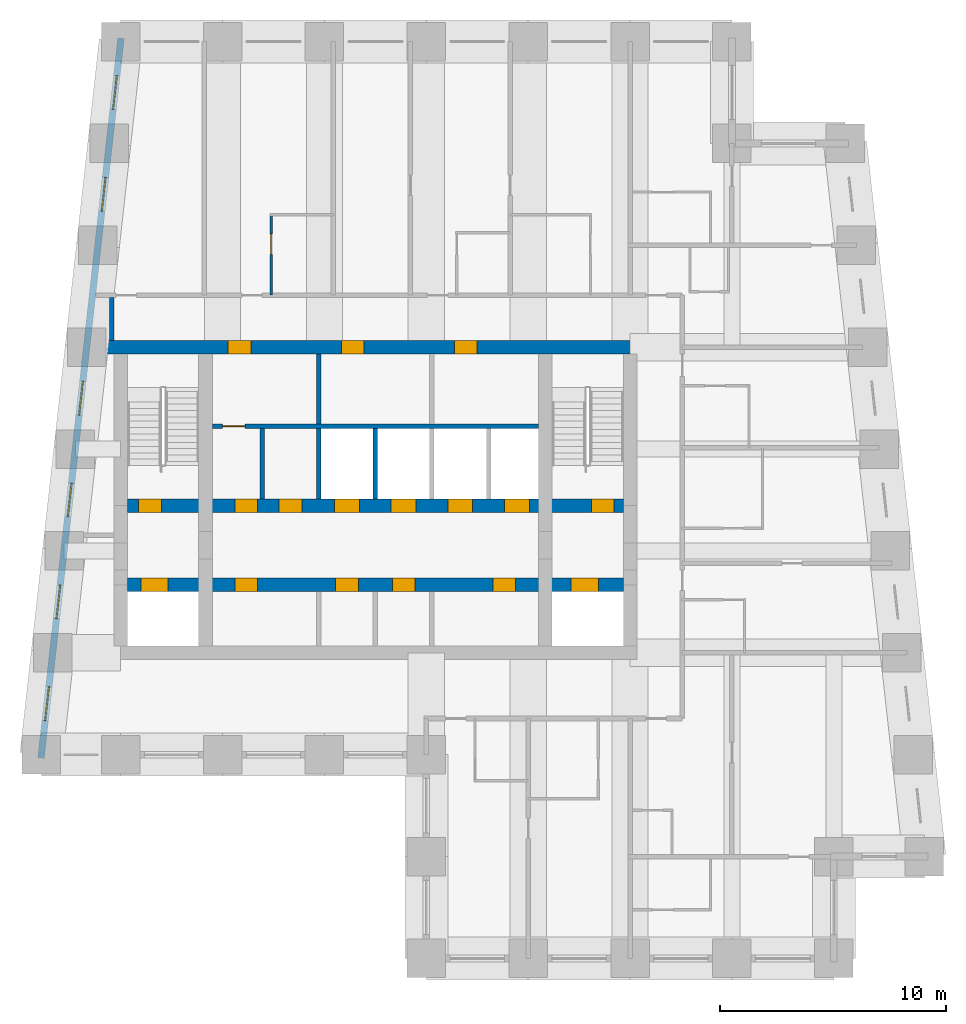
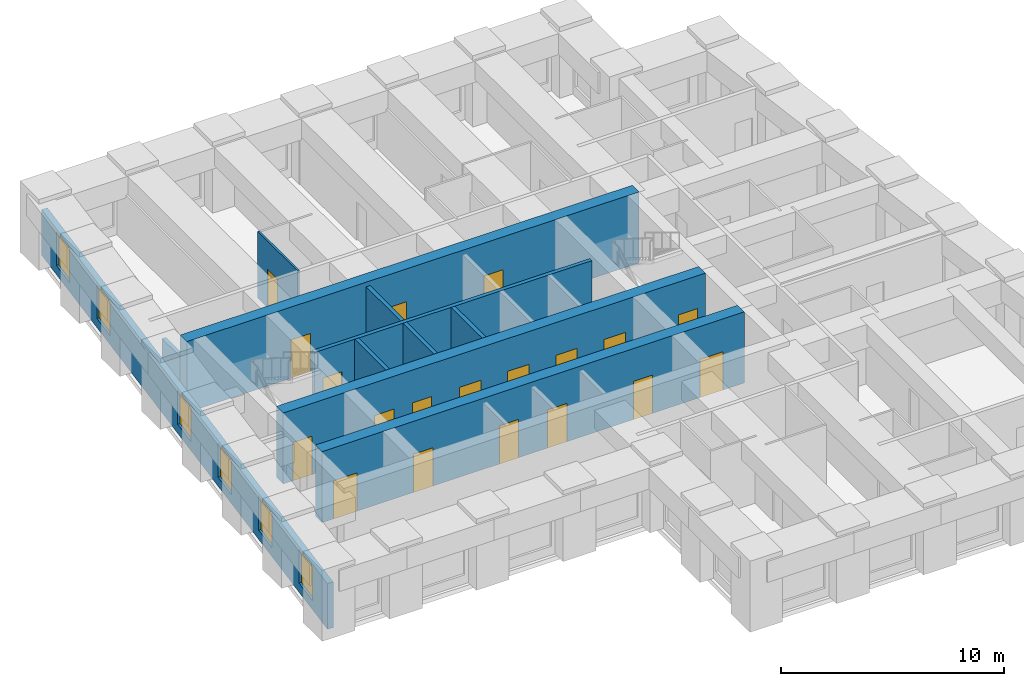
# One storey, part 3 of 7: 19 doors, 11 walls, 6 windows, 25 openings.
"""IFC4 building model written with IfcOpenShell, lengths in metres."""

from ifc_helpers import new_model, si_unit, direction, frame, frame_2d, origin, place, context, subcontext, project, spatial, rectangle, extrude, material, layer, layer_set, type_object, element, fill, save


model = new_model("IFC4")

# Units and contexts
model_context = context("Model", 3, precision=1e-05, world=origin(), true_north=direction((0.0, 1.0)))
body_context = subcontext(model_context, "Body", "Model", "MODEL_VIEW")
ifc_project = project(units=[si_unit("LENGTHUNIT", "METRE"), si_unit("AREAUNIT", "SQUARE_METRE"), si_unit("VOLUMEUNIT", "CUBIC_METRE"), si_unit("PLANEANGLEUNIT", "RADIAN"), si_unit("MASSUNIT", "GRAM", prefix="KILO")], contexts=[model_context])

# Site, building, storey
site_placement = place(None, origin())
site = spatial("IfcSite", under=ifc_project, at=site_placement, CompositionType="ELEMENT")
building_placement = place(site_placement, origin())
building = spatial("IfcBuilding", under=site, at=building_placement, Name="Kilele Tower Hotel", CompositionType="ELEMENT")
storey_placement = place(building_placement, frame((0.0, 0.0, 236.89990234375)))
storey = spatial("IfcBuildingStorey", under=building, at=storey_placement, Name="L61", CompositionType="ELEMENT", Elevation=236.89990234375)

# Wall, opening, door
ifc_material_1 = material(Name="Moisture-resistant board")
ifc_layer_1 = layer(ifc_material_1, 0.10009765625)
ifc_layer_set_1 = layer_set([ifc_layer_1], Name="Moisture-resistant board")
wall_type_1 = type_object("IfcWallType", Name="Bathroom partition 100", PredefinedType="PLUMBINGWALL", material=ifc_layer_set_1)
wall_1_placement = place(storey_placement, frame((20.14990234375, 29.300048828125, 0.0), z_axis=(0.0, 0.0, 1.0), x_axis=(0.0, 1.0, 0.0)))
wall_1 = element("IfcWall", 1, at=wall_1_placement, inside=storey, type_object=wall_type_1, Name="Bathroom partition 100 L61", PredefinedType="PLUMBINGWALL", context=body_context, shape_type="SweptSolid", body=[
    extrude(rectangle(XDim=3.599853515625, YDim=0.10009765625, at=frame_2d((1.7998046875, 0.0))), origin(), (0.0, 0.0, 1.0), 3.650146484375),
])
opening_1_placement = place(wall_1_placement, frame((1.800048828125, 0.0, 0.0)))
opening_1 = element("IfcOpeningElement", 2, at=opening_1_placement, cuts=wall_1, Name="Opening D2A", PredefinedType="OPENING", context=body_context, shape_type="SweptSolid", body=[
    extrude(rectangle(XDim=0.89990234375, YDim=2.10009765625, at=frame_2d((0.449951171875, 1.050048828125))), frame((0.0, 0.06005859375, 0.0), z_axis=(0.0, -1.0, 0.0), x_axis=(1.0, 0.0, 0.0)), (0.0, 0.0, 1.0), 0.1201171875),
])
ifc_material_2 = material(Name="Timber door leaf in hardwood frame", Category="wood")
door_type_1 = type_object("IfcDoorType", Name="Bathroom door 900", OperationType="SINGLE_SWING_LEFT", PredefinedType="DOOR", material=ifc_material_2)
door_1_placement = place(opening_1_placement, origin())
door_1 = element("IfcDoor", 3, at=door_1_placement, inside=storey, type_object=door_type_1, Name="Bathroom door 6108B", OperationType="SINGLE_SWING_RIGHT", OverallHeight=2.10009765625, OverallWidth=0.89990234375, PredefinedType="DOOR", context=body_context, shape_type="SweptSolid", body=[
    extrude(rectangle(XDim=0.89990234375, YDim=2.10009765625, at=frame_2d((0.449951171875, 1.050048828125))), frame((0.0, 0.02490234375, 0.0), z_axis=(0.0, -1.0, 0.0), x_axis=(1.0, 0.0, 0.0)), (0.0, 0.0, 1.0), 0.050048828125),
])
fill(opening_1, door_1)

# Wall, openings, doors
ifc_material_3 = material(Name="Concrete C60/75", Category="concrete")
ifc_layer_2 = layer(ifc_material_3, 0.60009765625)
ifc_layer_set_2 = layer_set([ifc_layer_2], Name="Concrete C60/75")
wall_type_2 = type_object("IfcWallType", Name="Core wall 600 C60/75", PredefinedType="SHEAR", material=ifc_layer_set_2)
wall_2_placement = place(storey_placement, frame((36.300048828125, 27.0, 0.0), z_axis=(0.0, 0.0, 1.0), x_axis=(-1.0, 0.0, 0.0)))
wall_2 = element("IfcWall", 4, at=wall_2_placement, inside=storey, type_object=wall_type_2, Name="Core wall N L61", PredefinedType="SHEAR", context=body_context, shape_type="SweptSolid", body=[
    extrude(rectangle(XDim=23.449951171875, YDim=0.60009765625, at=frame_2d((11.72509765625, 0.0))), origin(), (0.0, 0.0, 1.0), 3.900146484375),
])
opening_2_placement = place(wall_2_placement, frame((17.050048828125, 0.0, 0.0)))
opening_2 = element("IfcOpeningElement", 5, at=opening_2_placement, cuts=wall_2, Name="Opening D12", PredefinedType="OPENING", context=body_context, shape_type="SweptSolid", body=[
    extrude(rectangle(XDim=1.0, YDim=2.10009765625, at=frame_2d((0.5, 1.050048828125))), frame((0.0, 0.31005859375, 0.0), z_axis=(0.0, -1.0, 0.0), x_axis=(1.0, 0.0, 0.0)), (0.0, 0.0, 1.0), 0.6201171875),
])
opening_3_placement = place(wall_2_placement, frame((12.050048828125, 0.0, 0.0)))
opening_3 = element("IfcOpeningElement", 6, at=opening_3_placement, cuts=wall_2, Name="Opening D6", PredefinedType="OPENING", context=body_context, shape_type="SweptSolid", body=[
    extrude(rectangle(XDim=1.0, YDim=2.10009765625, at=frame_2d((0.5, 1.050048828125))), frame((0.0, 0.31005859375, 0.0), z_axis=(0.0, -1.0, 0.0), x_axis=(1.0, 0.0, 0.0)), (0.0, 0.0, 1.0), 0.6201171875),
])
opening_4_placement = place(wall_2_placement, frame((7.050048828125, 0.0, 0.0)))
opening_4 = element("IfcOpeningElement", 7, at=opening_4_placement, cuts=wall_2, Name="Opening D6", PredefinedType="OPENING", context=body_context, shape_type="SweptSolid", body=[
    extrude(rectangle(XDim=1.0, YDim=2.10009765625, at=frame_2d((0.5, 1.050048828125))), frame((0.0, 0.31005859375, 0.0), z_axis=(0.0, -1.0, 0.0), x_axis=(1.0, 0.0, 0.0)), (0.0, 0.0, 1.0), 0.6201171875),
])
ifc_material_4 = material(Name="Timber door leaf in hardwood frame", Category="wood")
door_type_2 = type_object("IfcDoorType", Name="Core lobby door 1000", OperationType="SINGLE_SWING_LEFT", PredefinedType="DOOR", material=ifc_material_4)
door_2_placement = place(opening_2_placement, origin())
door_2 = element("IfcDoor", 8, at=door_2_placement, inside=storey, type_object=door_type_2, Name="North lobby door L61", OperationType="SINGLE_SWING_RIGHT", OverallHeight=2.10009765625, OverallWidth=1.0, PredefinedType="DOOR", context=body_context, shape_type="SweptSolid", body=[
    extrude(rectangle(XDim=1.0, YDim=2.10009765625, at=frame_2d((0.5, 1.050048828125))), frame((0.0, 0.2998046875, 0.0), z_axis=(0.0, -1.0, 0.0), x_axis=(1.0, 0.0, 0.0)), (0.0, 0.0, 1.0), 0.599609375),
])
fill(opening_2, door_2)
ifc_material_5 = material(Name="Timber door leaf in hardwood frame", Category="wood")
door_type_3 = type_object("IfcDoorType", Name="Riser door 1000", OperationType="SINGLE_SWING_LEFT", PredefinedType="DOOR", material=ifc_material_5)
door_3_placement = place(opening_3_placement, origin())
door_3 = element("IfcDoor", 9, at=door_3_placement, inside=storey, type_object=door_type_3, Name="Linen store door L61", OperationType="SINGLE_SWING_RIGHT", OverallHeight=2.10009765625, OverallWidth=1.0, PredefinedType="DOOR", context=body_context, shape_type="SweptSolid", body=[
    extrude(rectangle(XDim=1.0, YDim=2.10009765625, at=frame_2d((0.5, 1.050048828125))), frame((0.0, 0.2998046875, 0.0), z_axis=(0.0, -1.0, 0.0), x_axis=(1.0, 0.0, 0.0)), (0.0, 0.0, 1.0), 0.599609375),
])
fill(opening_3, door_3)
door_4_placement = place(opening_4_placement, origin())
door_4 = element("IfcDoor", 10, at=door_4_placement, inside=storey, type_object=door_type_3, Name="Electrical riser door L61", OperationType="SINGLE_SWING_RIGHT", OverallHeight=2.10009765625, OverallWidth=1.0, PredefinedType="DOOR", context=body_context, shape_type="SweptSolid", body=[
    extrude(rectangle(XDim=1.0, YDim=2.10009765625, at=frame_2d((0.5, 1.050048828125))), frame((0.0, 0.2998046875, 0.0), z_axis=(0.0, -1.0, 0.0), x_axis=(1.0, 0.0, 0.0)), (0.0, 0.0, 1.0), 0.599609375),
])
fill(opening_4, door_4)

wall_3_placement = place(storey_placement, frame((13.800048828125, 16.5, 0.0), z_axis=(0.0, 0.0, 1.0), x_axis=(1.0, 0.0, 0.0)))
wall_3 = element("IfcWall", 11, at=wall_3_placement, inside=storey, type_object=wall_type_2, Name="Core wall LS L61", PredefinedType="SHEAR", context=body_context, shape_type="SweptSolid", body=[
    extrude(rectangle(XDim=21.89990234375, YDim=0.60009765625, at=frame_2d((10.949951171875, 0.0))), origin(), (0.0, 0.0, 1.0), 3.900146484375),
])
opening_5_placement = place(wall_3_placement, frame((5.75, 0.0, 0.0), z_axis=(0.0, 0.0, 1.0), x_axis=(-1.0, 0.0, 0.0)))
opening_5 = element("IfcOpeningElement", 12, at=opening_5_placement, cuts=wall_3, Name="Opening D11", PredefinedType="OPENING", context=body_context, shape_type="SweptSolid", body=[
    extrude(rectangle(XDim=1.0, YDim=2.10009765625, at=frame_2d((0.5, 1.050048828125))), frame((0.0, 0.31005859375, 0.0), z_axis=(0.0, -1.0, 0.0), x_axis=(1.0, 0.0, 0.0)), (0.0, 0.0, 1.0), 0.6201171875),
])
opening_6_placement = place(wall_3_placement, frame((10.199951171875, 0.0, 0.0), z_axis=(0.0, 0.0, 1.0), x_axis=(-1.0, 0.0, 0.0)))
opening_6 = element("IfcOpeningElement", 13, at=opening_6_placement, cuts=wall_3, Name="Opening D11", PredefinedType="OPENING", context=body_context, shape_type="SweptSolid", body=[
    extrude(rectangle(XDim=1.0, YDim=2.10009765625, at=frame_2d((0.5, 1.050048828125))), frame((0.0, 0.31005859375, 0.0), z_axis=(0.0, -1.0, 0.0), x_axis=(1.0, 0.0, 0.0)), (0.0, 0.0, 1.0), 0.6201171875),
])
opening_7_placement = place(wall_3_placement, frame((12.699951171875, 0.0, 0.0), z_axis=(0.0, 0.0, 1.0), x_axis=(-1.0, 0.0, 0.0)))
opening_7 = element("IfcOpeningElement", 14, at=opening_7_placement, cuts=wall_3, Name="Opening D11", PredefinedType="OPENING", context=body_context, shape_type="SweptSolid", body=[
    extrude(rectangle(XDim=1.0, YDim=2.10009765625, at=frame_2d((0.5, 1.050048828125))), frame((0.0, 0.31005859375, 0.0), z_axis=(0.0, -1.0, 0.0), x_axis=(1.0, 0.0, 0.0)), (0.0, 0.0, 1.0), 0.6201171875),
])
opening_8_placement = place(wall_3_placement, frame((17.14990234375, 0.0, 0.0), z_axis=(0.0, 0.0, 1.0), x_axis=(-1.0, 0.0, 0.0)))
opening_8 = element("IfcOpeningElement", 15, at=opening_8_placement, cuts=wall_3, Name="Opening D11", PredefinedType="OPENING", context=body_context, shape_type="SweptSolid", body=[
    extrude(rectangle(XDim=1.0, YDim=2.10009765625, at=frame_2d((0.5, 1.050048828125))), frame((0.0, 0.31005859375, 0.0), z_axis=(0.0, -1.0, 0.0), x_axis=(1.0, 0.0, 0.0)), (0.0, 0.0, 1.0), 0.6201171875),
])
opening_9_placement = place(wall_3_placement, frame((0.60009765625, 0.0, 0.0)))
opening_9 = element("IfcOpeningElement", 16, at=opening_9_placement, cuts=wall_3, Name="Opening LD2", PredefinedType="OPENING", context=body_context, shape_type="SweptSolid", body=[
    extrude(rectangle(XDim=1.199951171875, YDim=2.10009765625, at=frame_2d((0.60009765625, 1.050048828125))), frame((0.0, 0.31005859375, 0.0), z_axis=(0.0, -1.0, 0.0), x_axis=(1.0, 0.0, 0.0)), (0.0, 0.0, 1.0), 0.6201171875),
])
opening_10_placement = place(wall_3_placement, frame((19.60009765625, 0.0, 0.0)))
opening_10 = element("IfcOpeningElement", 17, at=opening_10_placement, cuts=wall_3, Name="Opening LD2", PredefinedType="OPENING", context=body_context, shape_type="SweptSolid", body=[
    extrude(rectangle(XDim=1.199951171875, YDim=2.10009765625, at=frame_2d((0.60009765625, 1.050048828125))), frame((0.0, 0.31005859375, 0.0), z_axis=(0.0, -1.0, 0.0), x_axis=(1.0, 0.0, 0.0)), (0.0, 0.0, 1.0), 0.6201171875),
])
ifc_material_6 = material(Name="Timber door leaf in hardwood frame", Category="wood")
door_type_4 = type_object("IfcDoorType", Name="Core store door 1000", OperationType="SINGLE_SWING_LEFT", PredefinedType="DOOR", material=ifc_material_6)
door_5_placement = place(opening_5_placement, origin())
door_5 = element("IfcDoor", 18, at=door_5_placement, inside=storey, type_object=door_type_4, Name="Core room door L1 L61", OperationType="SINGLE_SWING_RIGHT", OverallHeight=2.10009765625, OverallWidth=1.0, PredefinedType="DOOR", context=body_context, shape_type="SweptSolid", body=[
    extrude(rectangle(XDim=1.0, YDim=2.10009765625, at=frame_2d((0.5, 1.050048828125))), frame((0.0, 0.2998046875, 0.0), z_axis=(0.0, -1.0, 0.0), x_axis=(1.0, 0.0, 0.0)), (0.0, 0.0, 1.0), 0.599609375),
])
fill(opening_5, door_5)
door_6_placement = place(opening_6_placement, origin())
door_6 = element("IfcDoor", 19, at=door_6_placement, inside=storey, type_object=door_type_4, Name="Core room door L3 L61", OperationType="SINGLE_SWING_RIGHT", OverallHeight=2.10009765625, OverallWidth=1.0, PredefinedType="DOOR", context=body_context, shape_type="SweptSolid", body=[
    extrude(rectangle(XDim=1.0, YDim=2.10009765625, at=frame_2d((0.5, 1.050048828125))), frame((0.0, 0.2998046875, 0.0), z_axis=(0.0, -1.0, 0.0), x_axis=(1.0, 0.0, 0.0)), (0.0, 0.0, 1.0), 0.599609375),
])
fill(opening_6, door_6)
door_7_placement = place(opening_7_placement, origin())
door_7 = element("IfcDoor", 20, at=door_7_placement, inside=storey, type_object=door_type_4, Name="Core room door M1 L61", OperationType="SINGLE_SWING_LEFT", OverallHeight=2.10009765625, OverallWidth=1.0, PredefinedType="DOOR", context=body_context, shape_type="SweptSolid", body=[
    extrude(rectangle(XDim=1.0, YDim=2.10009765625, at=frame_2d((0.5, 1.050048828125))), frame((0.0, 0.2998046875, 0.0), z_axis=(0.0, -1.0, 0.0), x_axis=(1.0, 0.0, 0.0)), (0.0, 0.0, 1.0), 0.599609375),
])
fill(opening_7, door_7)
door_8_placement = place(opening_8_placement, origin())
door_8 = element("IfcDoor", 21, at=door_8_placement, inside=storey, type_object=door_type_4, Name="Core room door M3 L61", OperationType="SINGLE_SWING_LEFT", OverallHeight=2.10009765625, OverallWidth=1.0, PredefinedType="DOOR", context=body_context, shape_type="SweptSolid", body=[
    extrude(rectangle(XDim=1.0, YDim=2.10009765625, at=frame_2d((0.5, 1.050048828125))), frame((0.0, 0.2998046875, 0.0), z_axis=(0.0, -1.0, 0.0), x_axis=(1.0, 0.0, 0.0)), (0.0, 0.0, 1.0), 0.599609375),
])
fill(opening_8, door_8)
ifc_material_7 = material(Name="Steel lift landing door", Category="steel")
door_type_5 = type_object("IfcDoorType", Name="Firefighting lift landing door 1200", OperationType="SLIDING_TO_LEFT", PredefinedType="DOOR", material=ifc_material_7)
door_9_placement = place(opening_9_placement, origin())
door_9 = element("IfcDoor", 22, at=door_9_placement, inside=storey, type_object=door_type_5, Name="Landing door FFW L61", OperationType="SLIDING_TO_LEFT", OverallHeight=2.10009765625, OverallWidth=1.199951171875, PredefinedType="DOOR", context=body_context, shape_type="SweptSolid", body=[
    extrude(rectangle(XDim=1.199951171875, YDim=2.10009765625, at=frame_2d((0.60009765625, 1.050048828125))), frame((0.0, 0.2998046875, 0.0), z_axis=(0.0, -1.0, 0.0), x_axis=(1.0, 0.0, 0.0)), (0.0, 0.0, 1.0), 0.599609375),
])
fill(opening_9, door_9)
door_10_placement = place(opening_10_placement, origin())
door_10 = element("IfcDoor", 23, at=door_10_placement, inside=storey, type_object=door_type_5, Name="Landing door FFE L61", OperationType="SLIDING_TO_LEFT", OverallHeight=2.10009765625, OverallWidth=1.199951171875, PredefinedType="DOOR", context=body_context, shape_type="SweptSolid", body=[
    extrude(rectangle(XDim=1.199951171875, YDim=2.10009765625, at=frame_2d((0.60009765625, 1.050048828125))), frame((0.0, 0.2998046875, 0.0), z_axis=(0.0, -1.0, 0.0), x_axis=(1.0, 0.0, 0.0)), (0.0, 0.0, 1.0), 0.599609375),
])
fill(opening_10, door_10)

wall_4_placement = place(storey_placement, frame((13.800048828125, 20.0, 0.0), z_axis=(0.0, 0.0, 1.0), x_axis=(1.0, 0.0, 0.0)))
wall_4 = element("IfcWall", 24, at=wall_4_placement, inside=storey, type_object=wall_type_2, Name="Core wall LN L61", PredefinedType="SHEAR", context=body_context, shape_type="SweptSolid", body=[
    extrude(rectangle(XDim=21.89990234375, YDim=0.60009765625, at=frame_2d((10.949951171875, 0.0))), origin(), (0.0, 0.0, 1.0), 3.900146484375),
])
opening_11_placement = place(wall_4_placement, frame((0.5, 0.0, 0.0)))
opening_11 = element("IfcOpeningElement", 25, at=opening_11_placement, cuts=wall_4, Name="Opening D5", PredefinedType="OPENING", context=body_context, shape_type="SweptSolid", body=[
    extrude(rectangle(XDim=1.0, YDim=2.10009765625, at=frame_2d((0.5, 1.050048828125))), frame((0.0, 0.31005859375, 0.0), z_axis=(0.0, -1.0, 0.0), x_axis=(1.0, 0.0, 0.0)), (0.0, 0.0, 1.0), 0.6201171875),
])
opening_12_placement = place(wall_4_placement, frame((20.5, 0.0, 0.0)))
opening_12 = element("IfcOpeningElement", 26, at=opening_12_placement, cuts=wall_4, Name="Opening D5", PredefinedType="OPENING", context=body_context, shape_type="SweptSolid", body=[
    extrude(rectangle(XDim=1.0, YDim=2.10009765625, at=frame_2d((0.5, 1.050048828125))), frame((0.0, 0.31005859375, 0.0), z_axis=(0.0, -1.0, 0.0), x_axis=(1.0, 0.0, 0.0)), (0.0, 0.0, 1.0), 0.6201171875),
])
opening_13_placement = place(wall_4_placement, frame((9.14990234375, 0.0, 0.0)))
opening_13 = element("IfcOpeningElement", 27, at=opening_13_placement, cuts=wall_4, Name="Opening LD1", PredefinedType="OPENING", context=body_context, shape_type="SweptSolid", body=[
    extrude(rectangle(XDim=1.10009765625, YDim=2.10009765625, at=frame_2d((0.550048828125, 1.050048828125))), frame((0.0, 0.31005859375, 0.0), z_axis=(0.0, -1.0, 0.0), x_axis=(1.0, 0.0, 0.0)), (0.0, 0.0, 1.0), 0.6201171875),
])
opening_14_placement = place(wall_4_placement, frame((11.64990234375, 0.0, 0.0)))
opening_14 = element("IfcOpeningElement", 28, at=opening_14_placement, cuts=wall_4, Name="Opening LD1", PredefinedType="OPENING", context=body_context, shape_type="SweptSolid", body=[
    extrude(rectangle(XDim=1.10009765625, YDim=2.10009765625, at=frame_2d((0.550048828125, 1.050048828125))), frame((0.0, 0.31005859375, 0.0), z_axis=(0.0, -1.0, 0.0), x_axis=(1.0, 0.0, 0.0)), (0.0, 0.0, 1.0), 0.6201171875),
])
opening_15_placement = place(wall_4_placement, frame((14.14990234375, 0.0, 0.0)))
opening_15 = element("IfcOpeningElement", 29, at=opening_15_placement, cuts=wall_4, Name="Opening LD1", PredefinedType="OPENING", context=body_context, shape_type="SweptSolid", body=[
    extrude(rectangle(XDim=1.10009765625, YDim=2.10009765625, at=frame_2d((0.550048828125, 1.050048828125))), frame((0.0, 0.31005859375, 0.0), z_axis=(0.0, -1.0, 0.0), x_axis=(1.0, 0.0, 0.0)), (0.0, 0.0, 1.0), 0.6201171875),
])
opening_16_placement = place(wall_4_placement, frame((16.64990234375, 0.0, 0.0)))
opening_16 = element("IfcOpeningElement", 30, at=opening_16_placement, cuts=wall_4, Name="Opening LD1", PredefinedType="OPENING", context=body_context, shape_type="SweptSolid", body=[
    extrude(rectangle(XDim=1.10009765625, YDim=2.10009765625, at=frame_2d((0.550048828125, 1.050048828125))), frame((0.0, 0.31005859375, 0.0), z_axis=(0.0, -1.0, 0.0), x_axis=(1.0, 0.0, 0.0)), (0.0, 0.0, 1.0), 0.6201171875),
])
opening_17_placement = place(wall_4_placement, frame((5.75, 0.0, 0.0), z_axis=(0.0, 0.0, 1.0), x_axis=(-1.0, 0.0, 0.0)))
opening_17 = element("IfcOpeningElement", 31, at=opening_17_placement, cuts=wall_4, Name="Opening D12", PredefinedType="OPENING", context=body_context, shape_type="SweptSolid", body=[
    extrude(rectangle(XDim=1.0, YDim=2.10009765625, at=frame_2d((0.5, 1.050048828125))), frame((0.0, 0.31005859375, 0.0), z_axis=(0.0, -1.0, 0.0), x_axis=(1.0, 0.0, 0.0)), (0.0, 0.0, 1.0), 0.6201171875),
])
opening_18_placement = place(wall_4_placement, frame((6.699951171875, 0.0, 0.0)))
opening_18 = element("IfcOpeningElement", 32, at=opening_18_placement, cuts=wall_4, Name="Opening D11", PredefinedType="OPENING", context=body_context, shape_type="SweptSolid", body=[
    extrude(rectangle(XDim=1.0, YDim=2.10009765625, at=frame_2d((0.5, 1.050048828125))), frame((0.0, 0.31005859375, 0.0), z_axis=(0.0, -1.0, 0.0), x_axis=(1.0, 0.0, 0.0)), (0.0, 0.0, 1.0), 0.6201171875),
])
door_11_placement = place(opening_17_placement, origin())
door_11 = element("IfcDoor", 33, at=door_11_placement, inside=storey, type_object=door_type_2, Name="Core passage door L61", OperationType="SINGLE_SWING_RIGHT", OverallHeight=2.10009765625, OverallWidth=1.0, PredefinedType="DOOR", context=body_context, shape_type="SweptSolid", body=[
    extrude(rectangle(XDim=1.0, YDim=2.10009765625, at=frame_2d((0.5, 1.050048828125))), frame((0.0, 0.2998046875, 0.0), z_axis=(0.0, -1.0, 0.0), x_axis=(1.0, 0.0, 0.0)), (0.0, 0.0, 1.0), 0.599609375),
])
fill(opening_17, door_11)
door_12_placement = place(opening_18_placement, origin())
door_12 = element("IfcDoor", 34, at=door_12_placement, inside=storey, type_object=door_type_4, Name="Core room door S2 L61", OperationType="SINGLE_SWING_LEFT", OverallHeight=2.10009765625, OverallWidth=1.0, PredefinedType="DOOR", context=body_context, shape_type="SweptSolid", body=[
    extrude(rectangle(XDim=1.0, YDim=2.10009765625, at=frame_2d((0.5, 1.050048828125))), frame((0.0, 0.2998046875, 0.0), z_axis=(0.0, -1.0, 0.0), x_axis=(1.0, 0.0, 0.0)), (0.0, 0.0, 1.0), 0.599609375),
])
fill(opening_18, door_12)
ifc_material_8 = material(Name="Steel lift landing door", Category="steel")
door_type_6 = type_object("IfcDoorType", Name="Lift landing door 1100", OperationType="SLIDING_TO_LEFT", PredefinedType="DOOR", material=ifc_material_8)
door_13_placement = place(opening_13_placement, origin())
door_13 = element("IfcDoor", 35, at=door_13_placement, inside=storey, type_object=door_type_6, Name="Landing door H1 L61", OperationType="SLIDING_TO_LEFT", OverallHeight=2.10009765625, OverallWidth=1.10009765625, PredefinedType="DOOR", context=body_context, shape_type="SweptSolid", body=[
    extrude(rectangle(XDim=1.10009765625, YDim=2.10009765625, at=frame_2d((0.550048828125, 1.050048828125))), frame((0.0, 0.2998046875, 0.0), z_axis=(0.0, -1.0, 0.0), x_axis=(1.0, 0.0, 0.0)), (0.0, 0.0, 1.0), 0.599609375),
])
fill(opening_13, door_13)
door_14_placement = place(opening_14_placement, origin())
door_14 = element("IfcDoor", 36, at=door_14_placement, inside=storey, type_object=door_type_6, Name="Landing door H2 L61", OperationType="SLIDING_TO_LEFT", OverallHeight=2.10009765625, OverallWidth=1.10009765625, PredefinedType="DOOR", context=body_context, shape_type="SweptSolid", body=[
    extrude(rectangle(XDim=1.10009765625, YDim=2.10009765625, at=frame_2d((0.550048828125, 1.050048828125))), frame((0.0, 0.2998046875, 0.0), z_axis=(0.0, -1.0, 0.0), x_axis=(1.0, 0.0, 0.0)), (0.0, 0.0, 1.0), 0.599609375),
])
fill(opening_14, door_14)
door_15_placement = place(opening_15_placement, origin())
door_15 = element("IfcDoor", 37, at=door_15_placement, inside=storey, type_object=door_type_6, Name="Landing door H3 L61", OperationType="SLIDING_TO_LEFT", OverallHeight=2.10009765625, OverallWidth=1.10009765625, PredefinedType="DOOR", context=body_context, shape_type="SweptSolid", body=[
    extrude(rectangle(XDim=1.10009765625, YDim=2.10009765625, at=frame_2d((0.550048828125, 1.050048828125))), frame((0.0, 0.2998046875, 0.0), z_axis=(0.0, -1.0, 0.0), x_axis=(1.0, 0.0, 0.0)), (0.0, 0.0, 1.0), 0.599609375),
])
fill(opening_15, door_15)
door_16_placement = place(opening_16_placement, origin())
door_16 = element("IfcDoor", 38, at=door_16_placement, inside=storey, type_object=door_type_6, Name="Landing door G1 L61", OperationType="SLIDING_TO_LEFT", OverallHeight=2.10009765625, OverallWidth=1.10009765625, PredefinedType="DOOR", context=body_context, shape_type="SweptSolid", body=[
    extrude(rectangle(XDim=1.10009765625, YDim=2.10009765625, at=frame_2d((0.550048828125, 1.050048828125))), frame((0.0, 0.2998046875, 0.0), z_axis=(0.0, -1.0, 0.0), x_axis=(1.0, 0.0, 0.0)), (0.0, 0.0, 1.0), 0.599609375),
])
fill(opening_16, door_16)
ifc_material_9 = material(Name="Timber door leaf in hardwood frame", Category="wood")
door_type_7 = type_object("IfcDoorType", Name="Stair door 1000", OperationType="SINGLE_SWING_LEFT", PredefinedType="DOOR", material=ifc_material_9)
door_17_placement = place(opening_11_placement, origin())
door_17 = element("IfcDoor", 39, at=door_17_placement, inside=storey, type_object=door_type_7, Name="Stair 1 door L61", OperationType="SINGLE_SWING_LEFT", OverallHeight=2.10009765625, OverallWidth=1.0, PredefinedType="DOOR", context=body_context, shape_type="SweptSolid", body=[
    extrude(rectangle(XDim=1.0, YDim=2.10009765625, at=frame_2d((0.5, 1.050048828125))), frame((0.0, 0.2998046875, 0.0), z_axis=(0.0, -1.0, 0.0), x_axis=(1.0, 0.0, 0.0)), (0.0, 0.0, 1.0), 0.599609375),
])
fill(opening_11, door_17)
door_18_placement = place(opening_12_placement, origin())
door_18 = element("IfcDoor", 40, at=door_18_placement, inside=storey, type_object=door_type_7, Name="Stair 2 door L61", OperationType="SINGLE_SWING_RIGHT", OverallHeight=2.10009765625, OverallWidth=1.0, PredefinedType="DOOR", context=body_context, shape_type="SweptSolid", body=[
    extrude(rectangle(XDim=1.0, YDim=2.10009765625, at=frame_2d((0.5, 1.050048828125))), frame((0.0, 0.2998046875, 0.0), z_axis=(0.0, -1.0, 0.0), x_axis=(1.0, 0.0, 0.0)), (0.0, 0.0, 1.0), 0.599609375),
])
fill(opening_12, door_18)

# Wall
ifc_material_10 = material(Name="Blockwork, plastered both sides", Category="masonry")
ifc_layer_3 = layer(ifc_material_10, 0.199951171875)
ifc_layer_set_3 = layer_set([ifc_layer_3], Name="Blockwork, plastered both sides")
wall_type_3 = type_object("IfcWallType", Name="Partition wall 200", PredefinedType="PARTITIONING", material=ifc_layer_set_3)
wall_5_placement = place(storey_placement, frame((13.10009765625, 27.300048828125, 0.0), z_axis=(0.0, 0.0, 1.0), x_axis=(0.0, 1.0, 0.0)))
element("IfcWall", 41, at=wall_5_placement, inside=storey, type_object=wall_type_3, Name="Partition wall 200 L61", PredefinedType="PARTITIONING", context=body_context, shape_type="SweptSolid", body=[
    extrude(rectangle(XDim=1.89990234375, YDim=0.199951171875, at=frame_2d((0.949951171875, 0.0))), origin(), (0.0, 0.0, 1.0), 2.5),
])

# Wall, openings, windows
ifc_material_11 = material(Name="Concrete C40/50 precast", Category="concrete")
ifc_layer_4 = layer(ifc_material_11, 0.260009765625, Name="Precast backing", Category="LoadBearing")
ifc_material_12 = material(Name="Reconstituted stone finish", Category="masonry")
ifc_layer_5 = layer(ifc_material_12, 0.0400390625, Name="Face mix", Category="Finish")
ifc_layer_set_4 = layer_set([ifc_layer_4, ifc_layer_5], Name="Precast concrete C40/50, reconstituted stone finish")
wall_type_4 = type_object("IfcWallType", Name="Precast stone facade wall 300", PredefinedType="STANDARD", material=ifc_layer_set_4)
wall_6_placement = place(storey_placement, frame((13.5166015625, 40.649169921875, 0.0), z_axis=(0.0, 0.0, 1.0), x_axis=(-0.110433201132, -0.993883548555, 0.0)))
wall_6 = element("IfcWall", 42, at=wall_6_placement, inside=storey, type_object=wall_type_4, Name="Facade wall L61 edge 10", PredefinedType="STANDARD", context=body_context, shape_type="SweptSolid", body=[
    extrude(rectangle(XDim=31.994140625, YDim=0.300048828125, at=frame_2d((15.9970703125, 0.0))), origin(), (0.0, 0.0, 1.0), 2.5),
])
opening_19_placement = place(wall_6_placement, frame((1.6640625, 0.0, 0.5)))
opening_19 = element("IfcOpeningElement", 43, at=opening_19_placement, cuts=wall_6, Name="Opening W4", PredefinedType="OPENING", context=body_context, shape_type="SweptSolid", body=[
    extrude(rectangle(XDim=1.5, YDim=1.85009765625, at=frame_2d((0.75, 0.925048828125))), frame((0.0, 0.159912109375, 0.0), z_axis=(0.0, -1.0, 0.0), x_axis=(1.0, 0.0, 0.0)), (0.0, 0.0, 1.0), 0.320068359375),
])
opening_20_placement = place(wall_6_placement, frame((6.19189453125, 0.0, 0.5)))
opening_20 = element("IfcOpeningElement", 44, at=opening_20_placement, cuts=wall_6, Name="Opening W4", PredefinedType="OPENING", context=body_context, shape_type="SweptSolid", body=[
    extrude(rectangle(XDim=1.5, YDim=1.85009765625, at=frame_2d((0.75, 0.925048828125))), frame((0.0, 0.159912109375, 0.0), z_axis=(0.0, -1.0, 0.0), x_axis=(1.0, 0.0, 0.0)), (0.0, 0.0, 1.0), 0.320068359375),
])
opening_21_placement = place(wall_6_placement, frame((15.2470703125, 0.0, 0.5)))
opening_21 = element("IfcOpeningElement", 45, at=opening_21_placement, cuts=wall_6, Name="Opening W4", PredefinedType="OPENING", context=body_context, shape_type="SweptSolid", body=[
    extrude(rectangle(XDim=1.5, YDim=1.85009765625, at=frame_2d((0.75, 0.925048828125))), frame((0.0, 0.159912109375, 0.0), z_axis=(0.0, -1.0, 0.0), x_axis=(1.0, 0.0, 0.0)), (0.0, 0.0, 1.0), 0.320068359375),
])
opening_22_placement = place(wall_6_placement, frame((19.77490234375, 0.0, 0.5)))
opening_22 = element("IfcOpeningElement", 46, at=opening_22_placement, cuts=wall_6, Name="Opening W4", PredefinedType="OPENING", context=body_context, shape_type="SweptSolid", body=[
    extrude(rectangle(XDim=1.5, YDim=1.85009765625, at=frame_2d((0.75, 0.925048828125))), frame((0.0, 0.159912109375, 0.0), z_axis=(0.0, -1.0, 0.0), x_axis=(1.0, 0.0, 0.0)), (0.0, 0.0, 1.0), 0.320068359375),
])
opening_23_placement = place(wall_6_placement, frame((24.302001953125, 0.0, 0.5)))
opening_23 = element("IfcOpeningElement", 47, at=opening_23_placement, cuts=wall_6, Name="Opening W4", PredefinedType="OPENING", context=body_context, shape_type="SweptSolid", body=[
    extrude(rectangle(XDim=1.5, YDim=1.85009765625, at=frame_2d((0.75, 0.925048828125))), frame((0.0, 0.159912109375, 0.0), z_axis=(0.0, -1.0, 0.0), x_axis=(1.0, 0.0, 0.0)), (0.0, 0.0, 1.0), 0.320068359375),
])
opening_24_placement = place(wall_6_placement, frame((28.830078125, 0.0, 0.5)))
opening_24 = element("IfcOpeningElement", 48, at=opening_24_placement, cuts=wall_6, Name="Opening W4", PredefinedType="OPENING", context=body_context, shape_type="SweptSolid", body=[
    extrude(rectangle(XDim=1.5, YDim=1.85009765625, at=frame_2d((0.75, 0.925048828125))), frame((0.0, 0.159912109375, 0.0), z_axis=(0.0, -1.0, 0.0), x_axis=(1.0, 0.0, 0.0)), (0.0, 0.0, 1.0), 0.320068359375),
])
ifc_material_13 = material(Name="Aluminium frame, clear double glazing", Category="aluminium")
window_type = type_object("IfcWindowType", Name="Window W4 1500 x 1850", PartitioningType="SINGLE_PANEL", PredefinedType="WINDOW", material=ifc_material_13)
window_1_placement = place(opening_19_placement, origin())
window_1 = element("IfcWindow", 49, at=window_1_placement, inside=storey, type_object=window_type, Name="Window L61", OverallHeight=1.85009765625, OverallWidth=1.5, PartitioningType="SINGLE_PANEL", PredefinedType="WINDOW", context=body_context, shape_type="SweptSolid", body=[
    extrude(rectangle(XDim=1.5, YDim=1.85009765625, at=frame_2d((0.75, 0.925048828125))), frame((0.0, 0.030029296875, 0.0), z_axis=(0.0, -1.0, 0.0), x_axis=(1.0, 0.0, 0.0)), (0.0, 0.0, 1.0), 0.06005859375),
])
fill(opening_19, window_1)
window_2_placement = place(opening_20_placement, origin())
window_2 = element("IfcWindow", 50, at=window_2_placement, inside=storey, type_object=window_type, Name="Window L61", OverallHeight=1.85009765625, OverallWidth=1.5, PartitioningType="SINGLE_PANEL", PredefinedType="WINDOW", context=body_context, shape_type="SweptSolid", body=[
    extrude(rectangle(XDim=1.5, YDim=1.85009765625, at=frame_2d((0.75, 0.925048828125))), frame((0.0, 0.030029296875, 0.0), z_axis=(0.0, -1.0, 0.0), x_axis=(1.0, 0.0, 0.0)), (0.0, 0.0, 1.0), 0.06005859375),
])
fill(opening_20, window_2)
window_3_placement = place(opening_21_placement, origin())
window_3 = element("IfcWindow", 51, at=window_3_placement, inside=storey, type_object=window_type, Name="Window L61", OverallHeight=1.85009765625, OverallWidth=1.5, PartitioningType="SINGLE_PANEL", PredefinedType="WINDOW", context=body_context, shape_type="SweptSolid", body=[
    extrude(rectangle(XDim=1.5, YDim=1.85009765625, at=frame_2d((0.75, 0.925048828125))), frame((0.0, 0.030029296875, 0.0), z_axis=(0.0, -1.0, 0.0), x_axis=(1.0, 0.0, 0.0)), (0.0, 0.0, 1.0), 0.06005859375),
])
fill(opening_21, window_3)
window_4_placement = place(opening_22_placement, origin())
window_4 = element("IfcWindow", 52, at=window_4_placement, inside=storey, type_object=window_type, Name="Window L61", OverallHeight=1.85009765625, OverallWidth=1.5, PartitioningType="SINGLE_PANEL", PredefinedType="WINDOW", context=body_context, shape_type="SweptSolid", body=[
    extrude(rectangle(XDim=1.5, YDim=1.85009765625, at=frame_2d((0.75, 0.925048828125))), frame((0.0, 0.030029296875, 0.0), z_axis=(0.0, -1.0, 0.0), x_axis=(1.0, 0.0, 0.0)), (0.0, 0.0, 1.0), 0.06005859375),
])
fill(opening_22, window_4)
window_5_placement = place(opening_23_placement, origin())
window_5 = element("IfcWindow", 53, at=window_5_placement, inside=storey, type_object=window_type, Name="Window L61", OverallHeight=1.85009765625, OverallWidth=1.5, PartitioningType="SINGLE_PANEL", PredefinedType="WINDOW", context=body_context, shape_type="SweptSolid", body=[
    extrude(rectangle(XDim=1.5, YDim=1.85009765625, at=frame_2d((0.75, 0.925048828125))), frame((0.0, 0.030029296875, 0.0), z_axis=(0.0, -1.0, 0.0), x_axis=(1.0, 0.0, 0.0)), (0.0, 0.0, 1.0), 0.06005859375),
])
fill(opening_23, window_5)
window_6_placement = place(opening_24_placement, origin())
window_6 = element("IfcWindow", 54, at=window_6_placement, inside=storey, type_object=window_type, Name="Window L61", OverallHeight=1.85009765625, OverallWidth=1.5, PartitioningType="SINGLE_PANEL", PredefinedType="WINDOW", context=body_context, shape_type="SweptSolid", body=[
    extrude(rectangle(XDim=1.5, YDim=1.85009765625, at=frame_2d((0.75, 0.925048828125))), frame((0.0, 0.030029296875, 0.0), z_axis=(0.0, -1.0, 0.0), x_axis=(1.0, 0.0, 0.0)), (0.0, 0.0, 1.0), 0.06005859375),
])
fill(opening_24, window_6)

# Walls
ifc_material_14 = material(Name="Blockwork, fire-rated", Category="masonry")
ifc_layer_6 = layer(ifc_material_14, 0.199951171875)
ifc_layer_set_5 = layer_set([ifc_layer_6], Name="Blockwork, fire-rated")
wall_type_5 = type_object("IfcWallType", Name="Shaft wall 200", PredefinedType="PARTITIONING", material=ifc_layer_set_5)
for number, where, z_axis, x_axis, name in (
    (55, (19.75, 20.300048828125, 0.0), (0.0, 0.0, 1.0), (0.0, 1.0, 0.0), "Shaft wall 200 L61"),
    (56, (22.25, 20.300048828125, 0.0), (0.0, 0.0, 1.0), (0.0, 1.0, 0.0), "Shaft wall 200 L61"),
    (57, (24.75, 20.300048828125, 0.0), (0.0, 0.0, 1.0), (0.0, 1.0, 0.0), "Shaft wall 200 L61"),
):
    element("IfcWall", number, at=place(storey_placement, frame(where, z_axis=z_axis, x_axis=x_axis)), inside=storey, type_object=wall_type_5, Name=name, PredefinedType="PARTITIONING", context=body_context, shape_type="SweptSolid", body=[
        extrude(rectangle(XDim=3.099853515625, YDim=0.199951171875, at=frame_2d((1.5498046875, 0.0))), origin(), (0.0, 0.0, 1.0), 3.650146484375),
    ])

# Wall, opening, door
wall_7_placement = place(storey_placement, frame((17.550048828125, 23.5, 0.0), z_axis=(0.0, 0.0, 1.0), x_axis=(1.0, 0.0, 0.0)))
wall_7 = element("IfcWall", 58, at=wall_7_placement, inside=storey, type_object=wall_type_5, Name="Shaft wall 200 L61", PredefinedType="PARTITIONING", context=body_context, shape_type="SweptSolid", body=[
    extrude(rectangle(XDim=14.39990234375, YDim=0.199951171875, at=frame_2d((7.199951171875, 0.0))), origin(), (0.0, 0.0, 1.0), 3.650146484375),
])
opening_25_placement = place(wall_7_placement, frame((0.449951171875, 0.0, 0.0)))
opening_25 = element("IfcOpeningElement", 59, at=opening_25_placement, cuts=wall_7, Name="Opening D12", PredefinedType="OPENING", context=body_context, shape_type="SweptSolid", body=[
    extrude(rectangle(XDim=1.0, YDim=2.10009765625, at=frame_2d((0.5, 1.050048828125))), frame((0.0, 0.10986328125, 0.0), z_axis=(0.0, -1.0, 0.0), x_axis=(1.0, 0.0, 0.0)), (0.0, 0.0, 1.0), 0.219970703125),
])
door_19_placement = place(opening_25_placement, origin())
door_19 = element("IfcDoor", 60, at=door_19_placement, inside=storey, type_object=door_type_2, Name="Core passage door", OperationType="SINGLE_SWING_LEFT", OverallHeight=2.10009765625, OverallWidth=1.0, PredefinedType="DOOR", context=body_context, shape_type="SweptSolid", body=[
    extrude(rectangle(XDim=1.0, YDim=2.10009765625, at=frame_2d((0.5, 1.050048828125))), frame((0.0, 0.02490234375, 0.0), z_axis=(0.0, -1.0, 0.0), x_axis=(1.0, 0.0, 0.0)), (0.0, 0.0, 1.0), 0.050048828125),
])
fill(opening_25, door_19)

# Wall
wall_8_placement = place(storey_placement, frame((22.25, 23.60009765625, 0.0), z_axis=(0.0, 0.0, 1.0), x_axis=(0.0, 1.0, 0.0)))
element("IfcWall", 61, at=wall_8_placement, inside=storey, type_object=wall_type_5, Name="Shaft wall 200 L61", PredefinedType="PARTITIONING", context=body_context, shape_type="SweptSolid", body=[
    extrude(rectangle(XDim=3.099853515625, YDim=0.199951171875, at=frame_2d((1.5498046875, 0.0))), origin(), (0.0, 0.0, 1.0), 3.650146484375),
])

save(model, "model.ifc")
